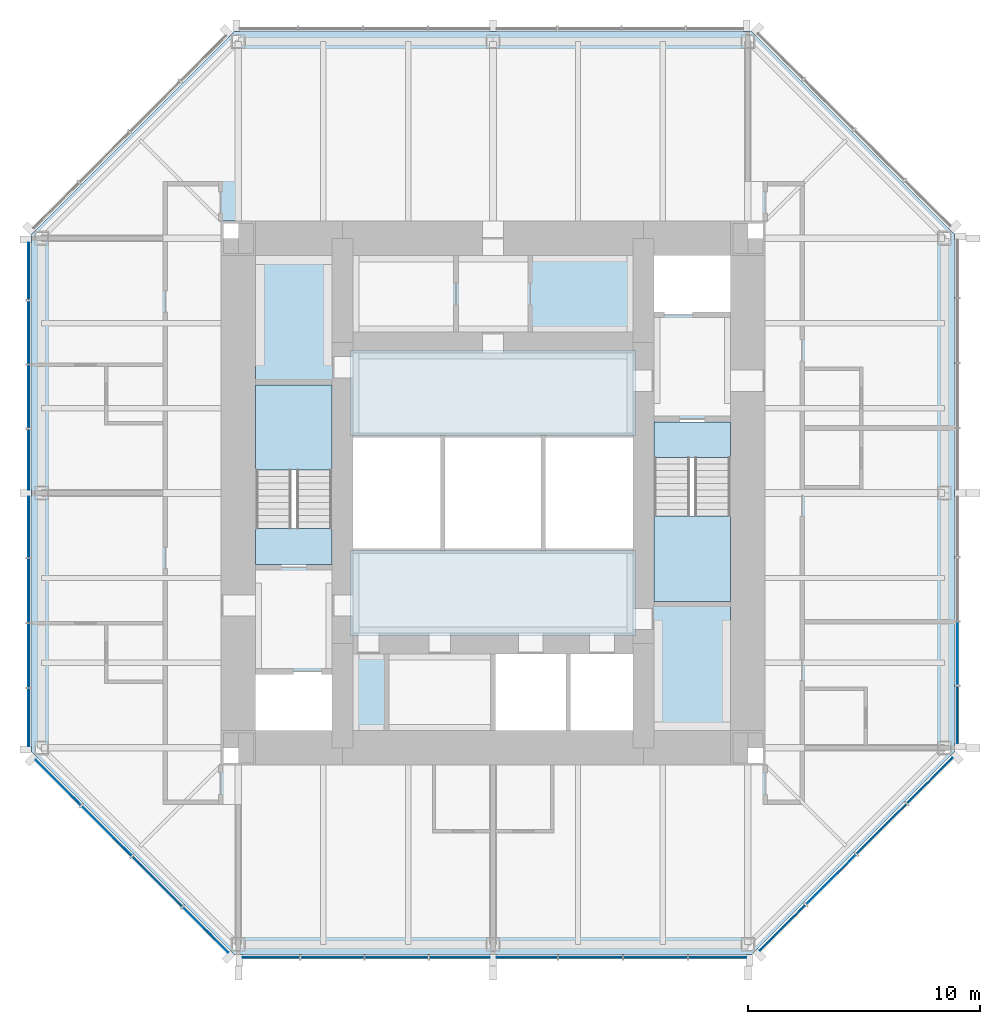
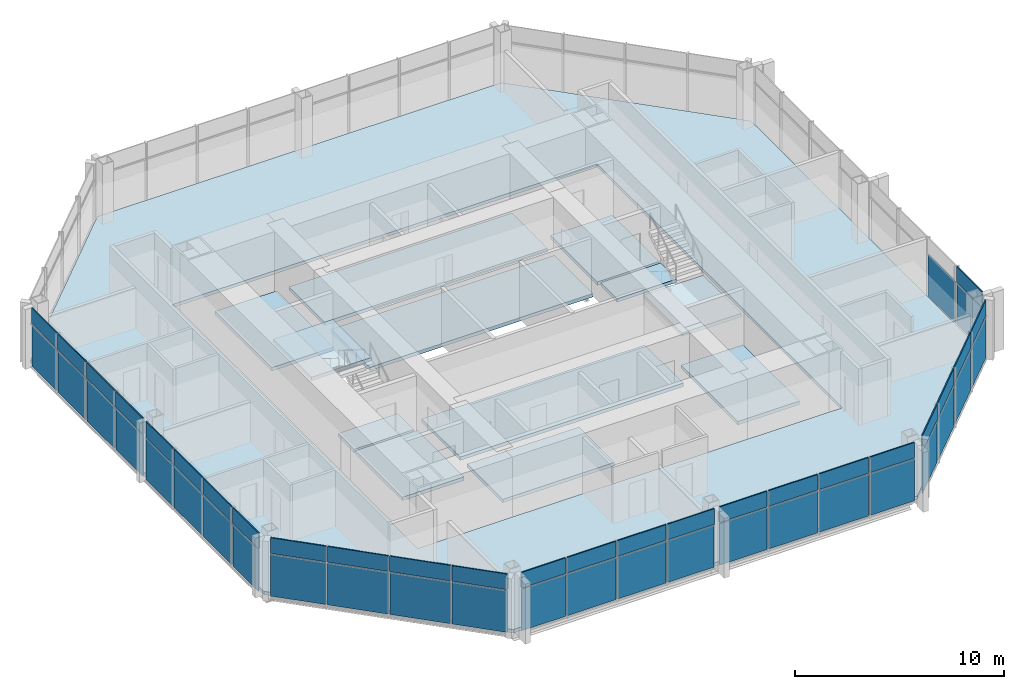
# One storey, part 6 of 11: 51 plates, 13 slabs, 7 elements without a shape of their own.
"""IFC4 building model written with IfcOpenShell, lengths in metres."""

from ifc_helpers import new_model, si_unit, direction, frame, origin, origin_2d, place, context, subcontext, project, spatial, polyline, rectangle, outline, extrude, material, layer, layer_set, type_object, element, aggregate, save


model = new_model("IFC4")

# Units and contexts
model_context = context("Model", 3, precision=1e-05, world=origin(), true_north=direction((0.0, 1.0)))
body_context = subcontext(model_context, "Body", "Model", "MODEL_VIEW")
ifc_project = project(units=[si_unit("LENGTHUNIT", "METRE"), si_unit("AREAUNIT", "SQUARE_METRE"), si_unit("VOLUMEUNIT", "CUBIC_METRE"), si_unit("PLANEANGLEUNIT", "RADIAN"), si_unit("MASSUNIT", "GRAM", prefix="KILO")], contexts=[model_context])

# Site, building, storey
site_placement = place(None, origin())
site = spatial("IfcSite", under=ifc_project, at=site_placement, CompositionType="ELEMENT")
building_placement = place(site_placement, origin())
building = spatial("IfcBuilding", under=site, at=building_placement, Name="Trevanion Tower", CompositionType="ELEMENT")
storey_placement = place(building_placement, frame((0.0, 0.0, 253.699951171875)))
storey = spatial("IfcBuildingStorey", under=building, at=storey_placement, Name="L62", CompositionType="ELEMENT", Elevation=253.699951171875)

# Curtain wall, plate
ifc_material_1 = material(Name="Aluminium and glass", Category="aluminium")
curtain_wall_type = type_object("IfcCurtainWallType", Name="CW3 curtain wall", PredefinedType="USERDEFINED", material=ifc_material_1)
curtain_wall_1_placement = place(storey_placement, origin())
curtain_wall_1 = element("IfcCurtainWall", 1, at=curtain_wall_1_placement, inside=storey, type_object=curtain_wall_type, Name="CW3 L62 0", ObjectType="UNITISED CURTAIN WALL", PredefinedType="USERDEFINED")
ifc_material_2 = material(Name="Aluminium spandrel panel", Category="aluminium")
ifc_layer_1 = layer(ifc_material_2, 0.06005859375)
ifc_layer_set_1 = layer_set([ifc_layer_1], Name="CW3 spandrel panel")
plate_type_1 = type_object("IfcPlateType", Name="CW3 spandrel panel", PredefinedType="CURTAIN_PANEL", material=ifc_layer_set_1)
plate_1_placement = place(storey_placement, frame((20.050048828125, -9.579345703125, 2.3974609375), z_axis=(0.0, 0.0, 1.0), x_axis=(0.0, 1.0, 0.0)))
plate_1 = element("IfcPlate", 2, at=plate_1_placement, type_object=plate_type_1, Name="CW3 panel 1.2", PredefinedType="CURTAIN_PANEL", context=body_context, shape_type="SweptSolid", body=[
    extrude(rectangle(XDim=2.43701171875, YDim=0.06005859375, at=origin_2d()), origin(), (0.0, 0.0, 1.0), 0.91259765625),
])

# Curtain wall, plates
curtain_wall_2_placement = place(storey_placement, origin())
curtain_wall_2 = element("IfcCurtainWall", 3, at=curtain_wall_2_placement, inside=storey, type_object=curtain_wall_type, Name="CW3 L62 4", ObjectType="UNITISED CURTAIN WALL", PredefinedType="USERDEFINED")
plate_2_placement = place(storey_placement, frame((-20.050048828125, 9.579345703125, 2.3974609375), z_axis=(0.0, 0.0, 1.0), x_axis=(0.0, -1.0, 0.0)))
plate_2 = element("IfcPlate", 4, at=plate_2_placement, type_object=plate_type_1, Name="CW3 panel 1.2", PredefinedType="CURTAIN_PANEL", context=body_context, shape_type="SweptSolid", body=[
    extrude(rectangle(XDim=2.43701171875, YDim=0.06005859375, at=origin_2d()), origin(), (0.0, 0.0, 1.0), 0.91259765625),
])
plate_3_placement = place(storey_placement, frame((-20.050048828125, 6.93603515625, 2.3974609375), z_axis=(0.0, 0.0, 1.0), x_axis=(0.0, -1.0, 0.0)))
plate_3 = element("IfcPlate", 5, at=plate_3_placement, type_object=plate_type_1, Name="CW3 panel 2.2", PredefinedType="CURTAIN_PANEL", context=body_context, shape_type="SweptSolid", body=[
    extrude(rectangle(XDim=2.699462890625, YDim=0.06005859375, at=origin_2d()), origin(), (0.0, 0.0, 1.0), 0.91259765625),
])
plate_4_placement = place(storey_placement, frame((-20.050048828125, 4.16162109375, 2.3974609375), z_axis=(0.0, 0.0, 1.0), x_axis=(0.0, -1.0, 0.0)))
plate_4 = element("IfcPlate", 6, at=plate_4_placement, type_object=plate_type_1, Name="CW3 panel 3.2", PredefinedType="CURTAIN_PANEL", context=body_context, shape_type="SweptSolid", body=[
    extrude(rectangle(XDim=2.699462890625, YDim=0.06005859375, at=origin_2d()), origin(), (0.0, 0.0, 1.0), 0.91259765625),
])
plate_5_placement = place(storey_placement, frame((-20.050048828125, 1.443603515625, 2.3974609375), z_axis=(0.0, 0.0, 1.0), x_axis=(0.0, -1.0, 0.0)))
plate_5 = element("IfcPlate", 7, at=plate_5_placement, type_object=plate_type_1, Name="CW3 panel 4.2", PredefinedType="CURTAIN_PANEL", context=body_context, shape_type="SweptSolid", body=[
    extrude(rectangle(XDim=2.5869140625, YDim=0.06005859375, at=origin_2d()), origin(), (0.0, 0.0, 1.0), 0.91259765625),
])
plate_6_placement = place(storey_placement, frame((-20.050048828125, -1.459716796875, 2.3974609375), z_axis=(0.0, 0.0, 1.0), x_axis=(0.0, -1.0, 0.0)))
plate_6 = element("IfcPlate", 8, at=plate_6_placement, type_object=plate_type_1, Name="CW3 panel 5.2", PredefinedType="CURTAIN_PANEL", context=body_context, shape_type="SweptSolid", body=[
    extrude(rectangle(XDim=2.619384765625, YDim=0.06005859375, at=origin_2d()), origin(), (0.0, 0.0, 1.0), 0.91259765625),
])
plate_7_placement = place(storey_placement, frame((-20.050048828125, -4.21044921875, 2.3974609375), z_axis=(0.0, 0.0, 1.0), x_axis=(0.0, -1.0, 0.0)))
plate_7 = element("IfcPlate", 9, at=plate_7_placement, type_object=plate_type_1, Name="CW3 panel 6.2", PredefinedType="CURTAIN_PANEL", context=body_context, shape_type="SweptSolid", body=[
    extrude(rectangle(XDim=2.73193359375, YDim=0.06005859375, at=origin_2d()), origin(), (0.0, 0.0, 1.0), 0.91259765625),
])
plate_8_placement = place(storey_placement, frame((-20.050048828125, -7.017333984375, 2.3974609375), z_axis=(0.0, 0.0, 1.0), x_axis=(0.0, -1.0, 0.0)))
plate_8 = element("IfcPlate", 10, at=plate_8_placement, type_object=plate_type_1, Name="CW3 panel 7.2", PredefinedType="CURTAIN_PANEL", context=body_context, shape_type="SweptSolid", body=[
    extrude(rectangle(XDim=2.73193359375, YDim=0.06005859375, at=origin_2d()), origin(), (0.0, 0.0, 1.0), 0.91259765625),
])
plate_9_placement = place(storey_placement, frame((-20.050048828125, -9.693115234375, 2.3974609375), z_axis=(0.0, 0.0, 1.0), x_axis=(0.0, -1.0, 0.0)))
plate_9 = element("IfcPlate", 11, at=plate_9_placement, type_object=plate_type_1, Name="CW3 panel 8.2", PredefinedType="CURTAIN_PANEL", context=body_context, shape_type="SweptSolid", body=[
    extrude(rectangle(XDim=2.469482421875, YDim=0.06005859375, at=origin_2d()), origin(), (0.0, 0.0, 1.0), 0.91259765625),
])

curtain_wall_3_placement = place(storey_placement, origin())
curtain_wall_3 = element("IfcCurtainWall", 12, at=curtain_wall_3_placement, inside=storey, type_object=curtain_wall_type, Name="CW3 L62 5", ObjectType="UNITISED CURTAIN WALL", PredefinedType="USERDEFINED")
plate_10_placement = place(storey_placement, frame((-18.77392578125, -12.50390625, 2.3974609375), z_axis=(0.0, 0.0, 1.0), x_axis=(0.707106781187, -0.707106781187, 0.0)))
plate_10 = element("IfcPlate", 13, at=plate_10_placement, type_object=plate_type_1, Name="CW3 panel 1.2", PredefinedType="CURTAIN_PANEL", context=body_context, shape_type="SweptSolid", body=[
    extrude(rectangle(XDim=2.7490234375, YDim=0.06005859375, at=origin_2d()), origin(), (0.0, 0.0, 1.0), 0.91259765625),
])
plate_11_placement = place(storey_placement, frame((-16.68408203125, -14.593505859375, 2.3974609375), z_axis=(0.0, 0.0, 1.0), x_axis=(0.707106781187, -0.707106781187, 0.0)))
plate_11 = element("IfcPlate", 14, at=plate_11_placement, type_object=plate_type_1, Name="CW3 panel 2.2", PredefinedType="CURTAIN_PANEL", context=body_context, shape_type="SweptSolid", body=[
    extrude(rectangle(XDim=3.01171875, YDim=0.06005859375, at=origin_2d()), origin(), (0.0, 0.0, 1.0), 0.91259765625),
])
plate_12_placement = place(storey_placement, frame((-14.501708984375, -16.776123046875, 2.3974609375), z_axis=(0.0, 0.0, 1.0), x_axis=(0.707106781187, -0.707106781187, 0.0)))
plate_12 = element("IfcPlate", 15, at=plate_12_placement, type_object=plate_type_1, Name="CW3 panel 3.2", PredefinedType="CURTAIN_PANEL", context=body_context, shape_type="SweptSolid", body=[
    extrude(rectangle(XDim=3.01171875, YDim=0.06005859375, at=origin_2d()), origin(), (0.0, 0.0, 1.0), 0.91259765625),
])
plate_13_placement = place(storey_placement, frame((-12.411865234375, -18.865966796875, 2.3974609375), z_axis=(0.0, 0.0, 1.0), x_axis=(0.707106781187, -0.707106781187, 0.0)))
plate_13 = element("IfcPlate", 16, at=plate_13_placement, type_object=plate_type_1, Name="CW3 panel 4.2", PredefinedType="CURTAIN_PANEL", context=body_context, shape_type="SweptSolid", body=[
    extrude(rectangle(XDim=2.7490234375, YDim=0.06005859375, at=origin_2d()), origin(), (0.0, 0.0, 1.0), 0.91259765625),
])

curtain_wall_4_placement = place(storey_placement, origin())
curtain_wall_4 = element("IfcCurtainWall", 17, at=curtain_wall_4_placement, inside=storey, type_object=curtain_wall_type, Name="CW3 L62 6", ObjectType="UNITISED CURTAIN WALL", PredefinedType="USERDEFINED")
plate_14_placement = place(storey_placement, frame((-9.579345703125, -20.050048828125, 2.3974609375), z_axis=(0.0, 0.0, 1.0), x_axis=(1.0, 0.0, 0.0)))
plate_14 = element("IfcPlate", 18, at=plate_14_placement, type_object=plate_type_1, Name="CW3 panel 1.2", PredefinedType="CURTAIN_PANEL", context=body_context, shape_type="SweptSolid", body=[
    extrude(rectangle(XDim=2.43701171875, YDim=0.06005859375, at=origin_2d()), origin(), (0.0, 0.0, 1.0), 0.91259765625),
])
plate_15_placement = place(storey_placement, frame((-6.93603515625, -20.050048828125, 2.3974609375), z_axis=(0.0, 0.0, 1.0), x_axis=(1.0, 0.0, 0.0)))
plate_15 = element("IfcPlate", 19, at=plate_15_placement, type_object=plate_type_1, Name="CW3 panel 2.2", PredefinedType="CURTAIN_PANEL", context=body_context, shape_type="SweptSolid", body=[
    extrude(rectangle(XDim=2.699462890625, YDim=0.06005859375, at=origin_2d()), origin(), (0.0, 0.0, 1.0), 0.91259765625),
])
plate_16_placement = place(storey_placement, frame((-4.16162109375, -20.050048828125, 2.3974609375), z_axis=(0.0, 0.0, 1.0), x_axis=(1.0, 0.0, 0.0)))
plate_16 = element("IfcPlate", 20, at=plate_16_placement, type_object=plate_type_1, Name="CW3 panel 3.2", PredefinedType="CURTAIN_PANEL", context=body_context, shape_type="SweptSolid", body=[
    extrude(rectangle(XDim=2.699462890625, YDim=0.06005859375, at=origin_2d()), origin(), (0.0, 0.0, 1.0), 0.91259765625),
])
plate_17_placement = place(storey_placement, frame((-1.443603515625, -20.050048828125, 2.3974609375), z_axis=(0.0, 0.0, 1.0), x_axis=(1.0, 0.0, 0.0)))
plate_17 = element("IfcPlate", 21, at=plate_17_placement, type_object=plate_type_1, Name="CW3 panel 4.2", PredefinedType="CURTAIN_PANEL", context=body_context, shape_type="SweptSolid", body=[
    extrude(rectangle(XDim=2.5869140625, YDim=0.06005859375, at=origin_2d()), origin(), (0.0, 0.0, 1.0), 0.91259765625),
])
plate_18_placement = place(storey_placement, frame((1.459716796875, -20.050048828125, 2.3974609375), z_axis=(0.0, 0.0, 1.0), x_axis=(1.0, 0.0, 0.0)))
plate_18 = element("IfcPlate", 22, at=plate_18_placement, type_object=plate_type_1, Name="CW3 panel 5.2", PredefinedType="CURTAIN_PANEL", context=body_context, shape_type="SweptSolid", body=[
    extrude(rectangle(XDim=2.619384765625, YDim=0.06005859375, at=origin_2d()), origin(), (0.0, 0.0, 1.0), 0.91259765625),
])
plate_19_placement = place(storey_placement, frame((4.21044921875, -20.050048828125, 2.3974609375), z_axis=(0.0, 0.0, 1.0), x_axis=(1.0, 0.0, 0.0)))
plate_19 = element("IfcPlate", 23, at=plate_19_placement, type_object=plate_type_1, Name="CW3 panel 6.2", PredefinedType="CURTAIN_PANEL", context=body_context, shape_type="SweptSolid", body=[
    extrude(rectangle(XDim=2.73193359375, YDim=0.06005859375, at=origin_2d()), origin(), (0.0, 0.0, 1.0), 0.91259765625),
])
plate_20_placement = place(storey_placement, frame((7.017333984375, -20.050048828125, 2.3974609375), z_axis=(0.0, 0.0, 1.0), x_axis=(1.0, 0.0, 0.0)))
plate_20 = element("IfcPlate", 24, at=plate_20_placement, type_object=plate_type_1, Name="CW3 panel 7.2", PredefinedType="CURTAIN_PANEL", context=body_context, shape_type="SweptSolid", body=[
    extrude(rectangle(XDim=2.73193359375, YDim=0.06005859375, at=origin_2d()), origin(), (0.0, 0.0, 1.0), 0.91259765625),
])
plate_21_placement = place(storey_placement, frame((9.693115234375, -20.050048828125, 2.3974609375), z_axis=(0.0, 0.0, 1.0), x_axis=(1.0, 0.0, 0.0)))
plate_21 = element("IfcPlate", 25, at=plate_21_placement, type_object=plate_type_1, Name="CW3 panel 8.2", PredefinedType="CURTAIN_PANEL", context=body_context, shape_type="SweptSolid", body=[
    extrude(rectangle(XDim=2.469482421875, YDim=0.06005859375, at=origin_2d()), origin(), (0.0, 0.0, 1.0), 0.91259765625),
])

curtain_wall_5_placement = place(storey_placement, origin())
curtain_wall_5 = element("IfcCurtainWall", 26, at=curtain_wall_5_placement, inside=storey, type_object=curtain_wall_type, Name="CW3 L62 7", ObjectType="UNITISED CURTAIN WALL", PredefinedType="USERDEFINED")
plate_22_placement = place(storey_placement, frame((12.50390625, -18.77392578125, 2.3974609375), z_axis=(0.0, 0.0, 1.0), x_axis=(0.707106781187, 0.707106781187, 0.0)))
plate_22 = element("IfcPlate", 27, at=plate_22_placement, type_object=plate_type_1, Name="CW3 panel 1.2", PredefinedType="CURTAIN_PANEL", context=body_context, shape_type="SweptSolid", body=[
    extrude(rectangle(XDim=2.7490234375, YDim=0.06005859375, at=origin_2d()), origin(), (0.0, 0.0, 1.0), 0.91259765625),
])
plate_23_placement = place(storey_placement, frame((14.593505859375, -16.68408203125, 2.3974609375), z_axis=(0.0, 0.0, 1.0), x_axis=(0.707106781187, 0.707106781187, 0.0)))
plate_23 = element("IfcPlate", 28, at=plate_23_placement, type_object=plate_type_1, Name="CW3 panel 2.2", PredefinedType="CURTAIN_PANEL", context=body_context, shape_type="SweptSolid", body=[
    extrude(rectangle(XDim=3.01171875, YDim=0.06005859375, at=origin_2d()), origin(), (0.0, 0.0, 1.0), 0.91259765625),
])
plate_24_placement = place(storey_placement, frame((16.776123046875, -14.501708984375, 2.3974609375), z_axis=(0.0, 0.0, 1.0), x_axis=(0.707106781187, 0.707106781187, 0.0)))
plate_24 = element("IfcPlate", 29, at=plate_24_placement, type_object=plate_type_1, Name="CW3 panel 3.2", PredefinedType="CURTAIN_PANEL", context=body_context, shape_type="SweptSolid", body=[
    extrude(rectangle(XDim=3.01171875, YDim=0.06005859375, at=origin_2d()), origin(), (0.0, 0.0, 1.0), 0.91259765625),
])
plate_25_placement = place(storey_placement, frame((18.865966796875, -12.411865234375, 2.3974609375), z_axis=(0.0, 0.0, 1.0), x_axis=(0.707106781187, 0.707106781187, 0.0)))
plate_25 = element("IfcPlate", 30, at=plate_25_placement, type_object=plate_type_1, Name="CW3 panel 4.2", PredefinedType="CURTAIN_PANEL", context=body_context, shape_type="SweptSolid", body=[
    extrude(rectangle(XDim=2.7490234375, YDim=0.06005859375, at=origin_2d()), origin(), (0.0, 0.0, 1.0), 0.91259765625),
])

# Plate
ifc_material_3 = material(Name="Insulating glass unit", Category="glass")
ifc_layer_2 = layer(ifc_material_3, 0.028076171875)
ifc_layer_set_2 = layer_set([ifc_layer_2], Name="CW3 vision panel")
plate_type_2 = type_object("IfcPlateType", Name="CW3 vision panel", PredefinedType="CURTAIN_PANEL", material=ifc_layer_set_2)
plate_26_placement = place(storey_placement, frame((20.050048828125, -9.579345703125, -0.114990234375), z_axis=(0.0, 0.0, 1.0), x_axis=(0.0, 1.0, 0.0)))
plate_26 = element("IfcPlate", 31, at=plate_26_placement, type_object=plate_type_2, Name="CW3 panel 1.1", PredefinedType="CURTAIN_PANEL", context=body_context, shape_type="SweptSolid", body=[
    extrude(rectangle(XDim=2.43701171875, YDim=0.028076171875, at=origin_2d()), origin(), (0.0, 0.0, 1.0), 2.4375),
])

plate_27_placement = place(storey_placement, frame((20.050048828125, -6.93603515625, -0.114990234375), z_axis=(0.0, 0.0, 1.0), x_axis=(0.0, 1.0, 0.0)))
plate_27 = element("IfcPlate", 32, at=plate_27_placement, type_object=plate_type_2, Name="CW3 panel 2.1", PredefinedType="CURTAIN_PANEL", context=body_context, shape_type="SweptSolid", body=[
    extrude(rectangle(XDim=2.699462890625, YDim=0.028076171875, at=origin_2d()), origin(), (0.0, 0.0, 1.0), 2.4375),
])

aggregate(curtain_wall_1, [plate_26, plate_1, plate_27])

plate_28_placement = place(storey_placement, frame((-20.050048828125, 9.579345703125, -0.114990234375), z_axis=(0.0, 0.0, 1.0), x_axis=(0.0, -1.0, 0.0)))
plate_28 = element("IfcPlate", 33, at=plate_28_placement, type_object=plate_type_2, Name="CW3 panel 1.1", PredefinedType="CURTAIN_PANEL", context=body_context, shape_type="SweptSolid", body=[
    extrude(rectangle(XDim=2.43701171875, YDim=0.028076171875, at=origin_2d()), origin(), (0.0, 0.0, 1.0), 2.4375),
])

plate_29_placement = place(storey_placement, frame((-20.050048828125, 6.93603515625, -0.114990234375), z_axis=(0.0, 0.0, 1.0), x_axis=(0.0, -1.0, 0.0)))
plate_29 = element("IfcPlate", 34, at=plate_29_placement, type_object=plate_type_2, Name="CW3 panel 2.1", PredefinedType="CURTAIN_PANEL", context=body_context, shape_type="SweptSolid", body=[
    extrude(rectangle(XDim=2.699462890625, YDim=0.028076171875, at=origin_2d()), origin(), (0.0, 0.0, 1.0), 2.4375),
])

plate_30_placement = place(storey_placement, frame((-20.050048828125, 4.16162109375, -0.114990234375), z_axis=(0.0, 0.0, 1.0), x_axis=(0.0, -1.0, 0.0)))
plate_30 = element("IfcPlate", 35, at=plate_30_placement, type_object=plate_type_2, Name="CW3 panel 3.1", PredefinedType="CURTAIN_PANEL", context=body_context, shape_type="SweptSolid", body=[
    extrude(rectangle(XDim=2.699462890625, YDim=0.028076171875, at=origin_2d()), origin(), (0.0, 0.0, 1.0), 2.4375),
])

plate_31_placement = place(storey_placement, frame((-20.050048828125, 1.443603515625, -0.114990234375), z_axis=(0.0, 0.0, 1.0), x_axis=(0.0, -1.0, 0.0)))
plate_31 = element("IfcPlate", 36, at=plate_31_placement, type_object=plate_type_2, Name="CW3 panel 4.1", PredefinedType="CURTAIN_PANEL", context=body_context, shape_type="SweptSolid", body=[
    extrude(rectangle(XDim=2.5869140625, YDim=0.028076171875, at=origin_2d()), origin(), (0.0, 0.0, 1.0), 2.4375),
])

plate_32_placement = place(storey_placement, frame((-20.050048828125, -1.459716796875, -0.114990234375), z_axis=(0.0, 0.0, 1.0), x_axis=(0.0, -1.0, 0.0)))
plate_32 = element("IfcPlate", 37, at=plate_32_placement, type_object=plate_type_2, Name="CW3 panel 5.1", PredefinedType="CURTAIN_PANEL", context=body_context, shape_type="SweptSolid", body=[
    extrude(rectangle(XDim=2.619384765625, YDim=0.028076171875, at=origin_2d()), origin(), (0.0, 0.0, 1.0), 2.4375),
])

plate_33_placement = place(storey_placement, frame((-20.050048828125, -4.21044921875, -0.114990234375), z_axis=(0.0, 0.0, 1.0), x_axis=(0.0, -1.0, 0.0)))
plate_33 = element("IfcPlate", 38, at=plate_33_placement, type_object=plate_type_2, Name="CW3 panel 6.1", PredefinedType="CURTAIN_PANEL", context=body_context, shape_type="SweptSolid", body=[
    extrude(rectangle(XDim=2.73193359375, YDim=0.028076171875, at=origin_2d()), origin(), (0.0, 0.0, 1.0), 2.4375),
])

plate_34_placement = place(storey_placement, frame((-20.050048828125, -7.017333984375, -0.114990234375), z_axis=(0.0, 0.0, 1.0), x_axis=(0.0, -1.0, 0.0)))
plate_34 = element("IfcPlate", 39, at=plate_34_placement, type_object=plate_type_2, Name="CW3 panel 7.1", PredefinedType="CURTAIN_PANEL", context=body_context, shape_type="SweptSolid", body=[
    extrude(rectangle(XDim=2.73193359375, YDim=0.028076171875, at=origin_2d()), origin(), (0.0, 0.0, 1.0), 2.4375),
])

plate_35_placement = place(storey_placement, frame((-20.050048828125, -9.693115234375, -0.114990234375), z_axis=(0.0, 0.0, 1.0), x_axis=(0.0, -1.0, 0.0)))
plate_35 = element("IfcPlate", 40, at=plate_35_placement, type_object=plate_type_2, Name="CW3 panel 8.1", PredefinedType="CURTAIN_PANEL", context=body_context, shape_type="SweptSolid", body=[
    extrude(rectangle(XDim=2.469482421875, YDim=0.028076171875, at=origin_2d()), origin(), (0.0, 0.0, 1.0), 2.4375),
])

aggregate(curtain_wall_2, [plate_28, plate_2, plate_29, plate_3, plate_30, plate_4, plate_31, plate_5, plate_32, plate_6, plate_33, plate_7, plate_34, plate_8, plate_35, plate_9])

plate_36_placement = place(storey_placement, frame((-18.77392578125, -12.50390625, -0.114990234375), z_axis=(0.0, 0.0, 1.0), x_axis=(0.707106781187, -0.707106781187, 0.0)))
plate_36 = element("IfcPlate", 41, at=plate_36_placement, type_object=plate_type_2, Name="CW3 panel 1.1", PredefinedType="CURTAIN_PANEL", context=body_context, shape_type="SweptSolid", body=[
    extrude(rectangle(XDim=2.7490234375, YDim=0.028076171875, at=origin_2d()), origin(), (0.0, 0.0, 1.0), 2.4375),
])

plate_37_placement = place(storey_placement, frame((-16.68408203125, -14.593505859375, -0.114990234375), z_axis=(0.0, 0.0, 1.0), x_axis=(0.707106781187, -0.707106781187, 0.0)))
plate_37 = element("IfcPlate", 42, at=plate_37_placement, type_object=plate_type_2, Name="CW3 panel 2.1", PredefinedType="CURTAIN_PANEL", context=body_context, shape_type="SweptSolid", body=[
    extrude(rectangle(XDim=3.01171875, YDim=0.028076171875, at=origin_2d()), origin(), (0.0, 0.0, 1.0), 2.4375),
])

plate_38_placement = place(storey_placement, frame((-14.501708984375, -16.776123046875, -0.114990234375), z_axis=(0.0, 0.0, 1.0), x_axis=(0.707106781187, -0.707106781187, 0.0)))
plate_38 = element("IfcPlate", 43, at=plate_38_placement, type_object=plate_type_2, Name="CW3 panel 3.1", PredefinedType="CURTAIN_PANEL", context=body_context, shape_type="SweptSolid", body=[
    extrude(rectangle(XDim=3.01171875, YDim=0.028076171875, at=origin_2d()), origin(), (0.0, 0.0, 1.0), 2.4375),
])

plate_39_placement = place(storey_placement, frame((-12.411865234375, -18.865966796875, -0.114990234375), z_axis=(0.0, 0.0, 1.0), x_axis=(0.707106781187, -0.707106781187, 0.0)))
plate_39 = element("IfcPlate", 44, at=plate_39_placement, type_object=plate_type_2, Name="CW3 panel 4.1", PredefinedType="CURTAIN_PANEL", context=body_context, shape_type="SweptSolid", body=[
    extrude(rectangle(XDim=2.7490234375, YDim=0.028076171875, at=origin_2d()), origin(), (0.0, 0.0, 1.0), 2.4375),
])

aggregate(curtain_wall_3, [plate_36, plate_10, plate_37, plate_11, plate_38, plate_12, plate_39, plate_13])

plate_40_placement = place(storey_placement, frame((-9.579345703125, -20.050048828125, -0.114990234375), z_axis=(0.0, 0.0, 1.0), x_axis=(1.0, 0.0, 0.0)))
plate_40 = element("IfcPlate", 45, at=plate_40_placement, type_object=plate_type_2, Name="CW3 panel 1.1", PredefinedType="CURTAIN_PANEL", context=body_context, shape_type="SweptSolid", body=[
    extrude(rectangle(XDim=2.43701171875, YDim=0.028076171875, at=origin_2d()), origin(), (0.0, 0.0, 1.0), 2.4375),
])

plate_41_placement = place(storey_placement, frame((-6.93603515625, -20.050048828125, -0.114990234375), z_axis=(0.0, 0.0, 1.0), x_axis=(1.0, 0.0, 0.0)))
plate_41 = element("IfcPlate", 46, at=plate_41_placement, type_object=plate_type_2, Name="CW3 panel 2.1", PredefinedType="CURTAIN_PANEL", context=body_context, shape_type="SweptSolid", body=[
    extrude(rectangle(XDim=2.699462890625, YDim=0.028076171875, at=origin_2d()), origin(), (0.0, 0.0, 1.0), 2.4375),
])

plate_42_placement = place(storey_placement, frame((-4.16162109375, -20.050048828125, -0.114990234375), z_axis=(0.0, 0.0, 1.0), x_axis=(1.0, 0.0, 0.0)))
plate_42 = element("IfcPlate", 47, at=plate_42_placement, type_object=plate_type_2, Name="CW3 panel 3.1", PredefinedType="CURTAIN_PANEL", context=body_context, shape_type="SweptSolid", body=[
    extrude(rectangle(XDim=2.699462890625, YDim=0.028076171875, at=origin_2d()), origin(), (0.0, 0.0, 1.0), 2.4375),
])

plate_43_placement = place(storey_placement, frame((-1.443603515625, -20.050048828125, -0.114990234375), z_axis=(0.0, 0.0, 1.0), x_axis=(1.0, 0.0, 0.0)))
plate_43 = element("IfcPlate", 48, at=plate_43_placement, type_object=plate_type_2, Name="CW3 panel 4.1", PredefinedType="CURTAIN_PANEL", context=body_context, shape_type="SweptSolid", body=[
    extrude(rectangle(XDim=2.5869140625, YDim=0.028076171875, at=origin_2d()), origin(), (0.0, 0.0, 1.0), 2.4375),
])

plate_44_placement = place(storey_placement, frame((1.459716796875, -20.050048828125, -0.114990234375), z_axis=(0.0, 0.0, 1.0), x_axis=(1.0, 0.0, 0.0)))
plate_44 = element("IfcPlate", 49, at=plate_44_placement, type_object=plate_type_2, Name="CW3 panel 5.1", PredefinedType="CURTAIN_PANEL", context=body_context, shape_type="SweptSolid", body=[
    extrude(rectangle(XDim=2.619384765625, YDim=0.028076171875, at=origin_2d()), origin(), (0.0, 0.0, 1.0), 2.4375),
])

plate_45_placement = place(storey_placement, frame((4.21044921875, -20.050048828125, -0.114990234375), z_axis=(0.0, 0.0, 1.0), x_axis=(1.0, 0.0, 0.0)))
plate_45 = element("IfcPlate", 50, at=plate_45_placement, type_object=plate_type_2, Name="CW3 panel 6.1", PredefinedType="CURTAIN_PANEL", context=body_context, shape_type="SweptSolid", body=[
    extrude(rectangle(XDim=2.73193359375, YDim=0.028076171875, at=origin_2d()), origin(), (0.0, 0.0, 1.0), 2.4375),
])

plate_46_placement = place(storey_placement, frame((7.017333984375, -20.050048828125, -0.114990234375), z_axis=(0.0, 0.0, 1.0), x_axis=(1.0, 0.0, 0.0)))
plate_46 = element("IfcPlate", 51, at=plate_46_placement, type_object=plate_type_2, Name="CW3 panel 7.1", PredefinedType="CURTAIN_PANEL", context=body_context, shape_type="SweptSolid", body=[
    extrude(rectangle(XDim=2.73193359375, YDim=0.028076171875, at=origin_2d()), origin(), (0.0, 0.0, 1.0), 2.4375),
])

plate_47_placement = place(storey_placement, frame((9.693115234375, -20.050048828125, -0.114990234375), z_axis=(0.0, 0.0, 1.0), x_axis=(1.0, 0.0, 0.0)))
plate_47 = element("IfcPlate", 52, at=plate_47_placement, type_object=plate_type_2, Name="CW3 panel 8.1", PredefinedType="CURTAIN_PANEL", context=body_context, shape_type="SweptSolid", body=[
    extrude(rectangle(XDim=2.469482421875, YDim=0.028076171875, at=origin_2d()), origin(), (0.0, 0.0, 1.0), 2.4375),
])

aggregate(curtain_wall_4, [plate_40, plate_14, plate_41, plate_15, plate_42, plate_16, plate_43, plate_17, plate_44, plate_18, plate_45, plate_19, plate_46, plate_20, plate_47, plate_21])

plate_48_placement = place(storey_placement, frame((12.50390625, -18.77392578125, -0.114990234375), z_axis=(0.0, 0.0, 1.0), x_axis=(0.707106781187, 0.707106781187, 0.0)))
plate_48 = element("IfcPlate", 53, at=plate_48_placement, type_object=plate_type_2, Name="CW3 panel 1.1", PredefinedType="CURTAIN_PANEL", context=body_context, shape_type="SweptSolid", body=[
    extrude(rectangle(XDim=2.7490234375, YDim=0.028076171875, at=origin_2d()), origin(), (0.0, 0.0, 1.0), 2.4375),
])

plate_49_placement = place(storey_placement, frame((14.593505859375, -16.68408203125, -0.114990234375), z_axis=(0.0, 0.0, 1.0), x_axis=(0.707106781187, 0.707106781187, 0.0)))
plate_49 = element("IfcPlate", 54, at=plate_49_placement, type_object=plate_type_2, Name="CW3 panel 2.1", PredefinedType="CURTAIN_PANEL", context=body_context, shape_type="SweptSolid", body=[
    extrude(rectangle(XDim=3.01171875, YDim=0.028076171875, at=origin_2d()), origin(), (0.0, 0.0, 1.0), 2.4375),
])

plate_50_placement = place(storey_placement, frame((16.776123046875, -14.501708984375, -0.114990234375), z_axis=(0.0, 0.0, 1.0), x_axis=(0.707106781187, 0.707106781187, 0.0)))
plate_50 = element("IfcPlate", 55, at=plate_50_placement, type_object=plate_type_2, Name="CW3 panel 3.1", PredefinedType="CURTAIN_PANEL", context=body_context, shape_type="SweptSolid", body=[
    extrude(rectangle(XDim=3.01171875, YDim=0.028076171875, at=origin_2d()), origin(), (0.0, 0.0, 1.0), 2.4375),
])

plate_51_placement = place(storey_placement, frame((18.865966796875, -12.411865234375, -0.114990234375), z_axis=(0.0, 0.0, 1.0), x_axis=(0.707106781187, 0.707106781187, 0.0)))
plate_51 = element("IfcPlate", 56, at=plate_51_placement, type_object=plate_type_2, Name="CW3 panel 4.1", PredefinedType="CURTAIN_PANEL", context=body_context, shape_type="SweptSolid", body=[
    extrude(rectangle(XDim=2.7490234375, YDim=0.028076171875, at=origin_2d()), origin(), (0.0, 0.0, 1.0), 2.4375),
])

aggregate(curtain_wall_5, [plate_48, plate_22, plate_49, plate_23, plate_50, plate_24, plate_51, plate_25])

# Slabs
ifc_material_4 = material(Name="Concrete 5,000 psi on composite metal deck", Category="concrete")
ifc_layer_3 = layer(ifc_material_4, 0.18994140625)
ifc_layer_set_3 = layer_set([ifc_layer_3], Name="SL1 composite floor 190")
slab_type_1 = type_object("IfcSlabType", Name="SL1 composite floor 190", PredefinedType="FLOOR", material=ifc_layer_set_3)
slab_1_placement = place(storey_placement, frame((0.0, 0.0, -0.18994140625)))
element("IfcSlab", 57, at=slab_1_placement, inside=storey, type_object=slab_type_1, Name="SL1 L62 floor", PredefinedType="FLOOR", context=body_context, shape_type="SweptSolid", body=[
    extrude(outline(polyline([(19.919921875, -11.174072265625), (19.919921875, 11.174072265625), (11.174072265625, 19.919921875), (-11.174072265625, 19.919921875), (-19.919921875, 11.174072265625), (-19.919921875, -11.174072265625), (-11.174072265625, -19.919921875), (11.174072265625, -19.919921875), (19.919921875, -11.174072265625)]), holes=[polyline([(11.75, -11.75), (11.75, 11.75), (-11.75, 11.75), (-11.75, -11.75), (11.75, -11.75)])]), origin(), (0.0, 0.0, 1.0), 0.18994140625),
])
ifc_material_5 = material(Name="Concrete 5,000 psi", Category="concrete")
ifc_layer_4 = layer(ifc_material_5, 0.199951171875)
ifc_layer_set_4 = layer_set([ifc_layer_4], Name="SL2 core floor 200")
slab_type_2 = type_object("IfcSlabType", Name="SL2 core floor 200", PredefinedType="FLOOR", material=ifc_layer_set_4)
slab_2_placement = place(storey_placement, frame((0.0, 0.0, -0.199951171875)))
element("IfcSlab", 58, at=slab_2_placement, inside=storey, type_object=slab_type_2, Name="SL2 L62 core floor 1", PredefinedType="FLOOR", context=body_context, shape_type="SweptSolid", body=[
    extrude(outline(polyline([(0.02001953125, -10.25), (-6.169921875, -10.25), (-6.169921875, -6.830078125), (0.02001953125, -6.830078125), (0.02001953125, -10.25)])), origin(), (0.0, 0.0, 1.0), 0.199951171875),
])
slab_3_placement = place(storey_placement, frame((0.0, 0.0, -0.199951171875)))
element("IfcSlab", 59, at=slab_3_placement, inside=storey, type_object=slab_type_2, Name="SL2 L62 core floor 2", PredefinedType="FLOOR", context=body_context, shape_type="SweptSolid", body=[
    extrude(outline(polyline([(6.830078125, -4.804931640625), (10.25, -4.804931640625), (10.25, -10.25), (6.830078125, -10.25), (6.830078125, -4.804931640625)])), origin(), (0.0, 0.0, 1.0), 0.199951171875),
])
slab_4_placement = place(storey_placement, frame((0.0, 0.0, -0.199951171875)))
element("IfcSlab", 60, at=slab_4_placement, inside=storey, type_object=slab_type_2, Name="SL2 L62 core floor 3", PredefinedType="FLOOR", context=body_context, shape_type="SweptSolid", body=[
    extrude(outline(polyline([(-6.830078125, -3.205078125), (-6.830078125, -7.695068359375), (-10.25, -7.695068359375), (-10.25, -3.205078125), (-6.830078125, -3.205078125)])), origin(), (0.0, 0.0, 1.0), 0.199951171875),
])
slab_5_placement = place(storey_placement, frame((0.0, 0.0, -0.199951171875)))
element("IfcSlab", 61, at=slab_5_placement, inside=storey, type_object=slab_type_2, Name="SL2 L62 core floor 4", PredefinedType="FLOOR", context=body_context, shape_type="SweptSolid", body=[
    extrude(outline(polyline([(6.169921875, -6.169921875), (-6.169921875, -6.169921875), (-6.169921875, -2.47998046875), (6.169921875, -2.47998046875), (6.169921875, -6.169921875)])), origin(), (0.0, 0.0, 1.0), 0.199951171875),
])
slab_6_placement = place(storey_placement, frame((0.0, 0.0, -0.199951171875)))
element("IfcSlab", 62, at=slab_6_placement, inside=storey, type_object=slab_type_2, Name="SL2 L62 core floor 5", PredefinedType="FLOOR", context=body_context, shape_type="SweptSolid", body=[
    extrude(outline(polyline([(6.169921875, 2.47998046875), (-6.169921875, 2.47998046875), (-6.169921875, 6.169921875), (6.169921875, 6.169921875), (6.169921875, 2.47998046875)])), origin(), (0.0, 0.0, 1.0), 0.199951171875),
])
slab_7_placement = place(storey_placement, frame((0.0, 0.0, -0.199951171875)))
element("IfcSlab", 63, at=slab_7_placement, inside=storey, type_object=slab_type_2, Name="SL2 L62 core floor 6", PredefinedType="FLOOR", context=body_context, shape_type="SweptSolid", body=[
    extrude(outline(polyline([(6.830078125, 3.205078125), (6.830078125, 7.695068359375), (10.25, 7.695068359375), (10.25, 3.205078125), (6.830078125, 3.205078125)])), origin(), (0.0, 0.0, 1.0), 0.199951171875),
])
slab_8_placement = place(storey_placement, frame((0.0, 0.0, -0.199951171875)))
element("IfcSlab", 64, at=slab_8_placement, inside=storey, type_object=slab_type_2, Name="SL2 L62 core floor 7", PredefinedType="FLOOR", context=body_context, shape_type="SweptSolid", body=[
    extrude(outline(polyline([(-6.830078125, 4.804931640625), (-10.25, 4.804931640625), (-10.25, 10.25), (-6.830078125, 10.25), (-6.830078125, 4.804931640625)])), origin(), (0.0, 0.0, 1.0), 0.199951171875),
])
slab_9_placement = place(storey_placement, frame((0.0, 0.0, -0.199951171875)))
element("IfcSlab", 65, at=slab_9_placement, inside=storey, type_object=slab_type_2, Name="SL2 L62 core floor 8", PredefinedType="FLOOR", context=body_context, shape_type="SweptSolid", body=[
    extrude(outline(polyline([(6.169921875, 6.830078125), (-6.169921875, 6.830078125), (-6.169921875, 10.25), (6.169921875, 10.25), (6.169921875, 6.830078125)])), origin(), (0.0, 0.0, 1.0), 0.199951171875),
])

# Stair, slabs
ifc_material_6 = material(Name="Concrete 5,000 psi on steel stringers", Category="concrete")
stair_type = type_object("IfcStairType", Name="ST stair", PredefinedType="HALF_TURN_STAIR", material=ifc_material_6)
stair_1_placement = place(storey_placement, origin())
stair_1 = element("IfcStair", 66, at=stair_1_placement, inside=storey, type_object=stair_type, Name="ST1 L62", PredefinedType="HALF_TURN_STAIR")
ifc_material_7 = material(Name="Concrete 5,000 psi in steel pan", Category="concrete")
ifc_layer_5 = layer(ifc_material_7, 0.199951171875)
ifc_layer_set_5 = layer_set([ifc_layer_5], Name="STL stair landing 200")
slab_type_3 = type_object("IfcSlabType", Name="STL stair landing 200", PredefinedType="LANDING", material=ifc_layer_set_5)
slab_10_placement = place(storey_placement, frame((0.0, 0.0, -0.199951171875)))
slab_10 = element("IfcSlab", 67, at=slab_10_placement, type_object=slab_type_3, Name="ST1 landing 1", PredefinedType="LANDING", context=body_context, shape_type="SweptSolid", body=[
    extrude(outline(polyline([(6.949951171875, 1.52490234375), (10.25, 1.52490234375), (10.25, 3.074951171875), (6.949951171875, 3.074951171875), (6.949951171875, 1.52490234375)])), origin(), (0.0, 0.0, 1.0), 0.199951171875),
])
slab_11_placement = place(storey_placement, frame((0.0, 0.0, 1.550048828125)))
slab_11 = element("IfcSlab", 68, at=slab_11_placement, type_object=slab_type_3, Name="ST1 landing 2", PredefinedType="LANDING", context=body_context, shape_type="SweptSolid", body=[
    extrude(outline(polyline([(6.949951171875, -4.675048828125), (10.25, -4.675048828125), (10.25, -0.9951171875), (6.949951171875, -0.9951171875), (6.949951171875, -4.675048828125)])), origin(), (0.0, 0.0, 1.0), 0.199951171875),
])
aggregate(stair_1, [slab_10, slab_11])

stair_2_placement = place(storey_placement, origin())
stair_2 = element("IfcStair", 69, at=stair_2_placement, inside=storey, type_object=stair_type, Name="ST2 L62", PredefinedType="HALF_TURN_STAIR")
slab_12_placement = place(storey_placement, frame((0.0, 0.0, -0.199951171875)))
slab_12 = element("IfcSlab", 70, at=slab_12_placement, type_object=slab_type_3, Name="ST2 landing 1", PredefinedType="LANDING", context=body_context, shape_type="SweptSolid", body=[
    extrude(outline(polyline([(-6.949951171875, -1.52490234375), (-10.25, -1.52490234375), (-10.25, -3.074951171875), (-6.949951171875, -3.074951171875), (-6.949951171875, -1.52490234375)])), origin(), (0.0, 0.0, 1.0), 0.199951171875),
])
slab_13_placement = place(storey_placement, frame((0.0, 0.0, 1.550048828125)))
slab_13 = element("IfcSlab", 71, at=slab_13_placement, type_object=slab_type_3, Name="ST2 landing 2", PredefinedType="LANDING", context=body_context, shape_type="SweptSolid", body=[
    extrude(outline(polyline([(-6.949951171875, 4.675048828125), (-10.25, 4.675048828125), (-10.25, 0.9951171875), (-6.949951171875, 0.9951171875), (-6.949951171875, 4.675048828125)])), origin(), (0.0, 0.0, 1.0), 0.199951171875),
])
aggregate(stair_2, [slab_12, slab_13])

save(model, "model.ifc")
